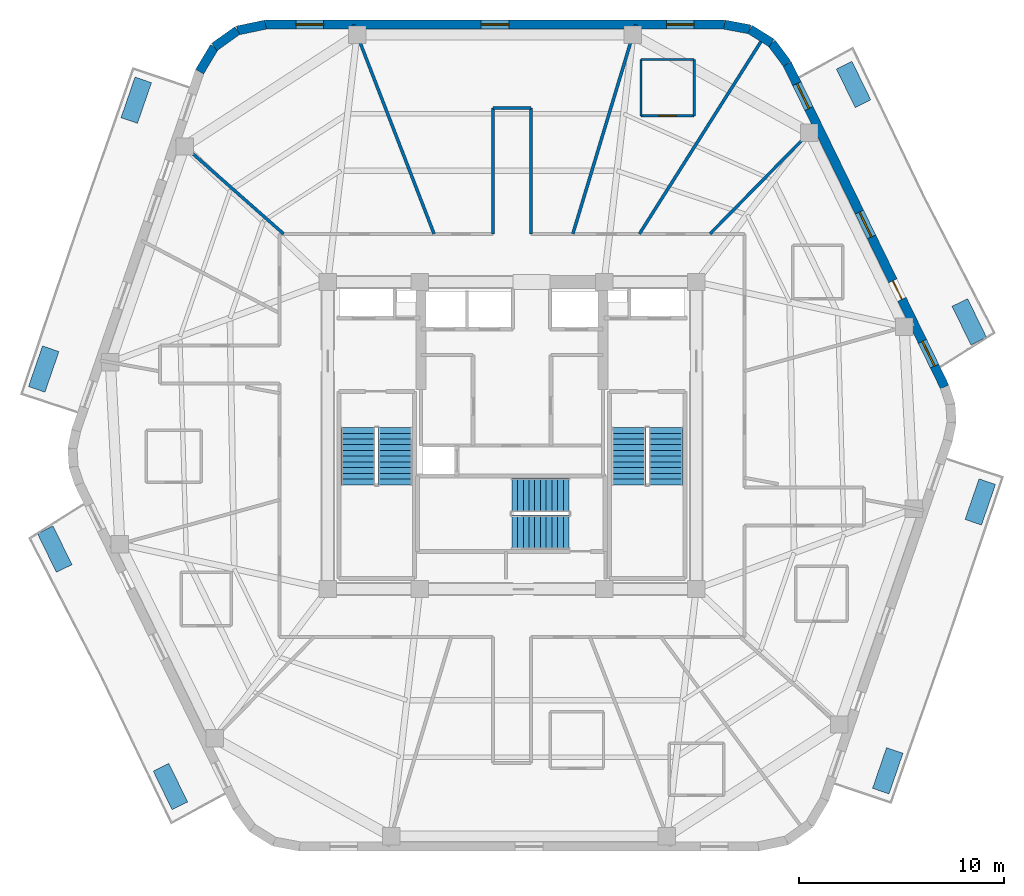
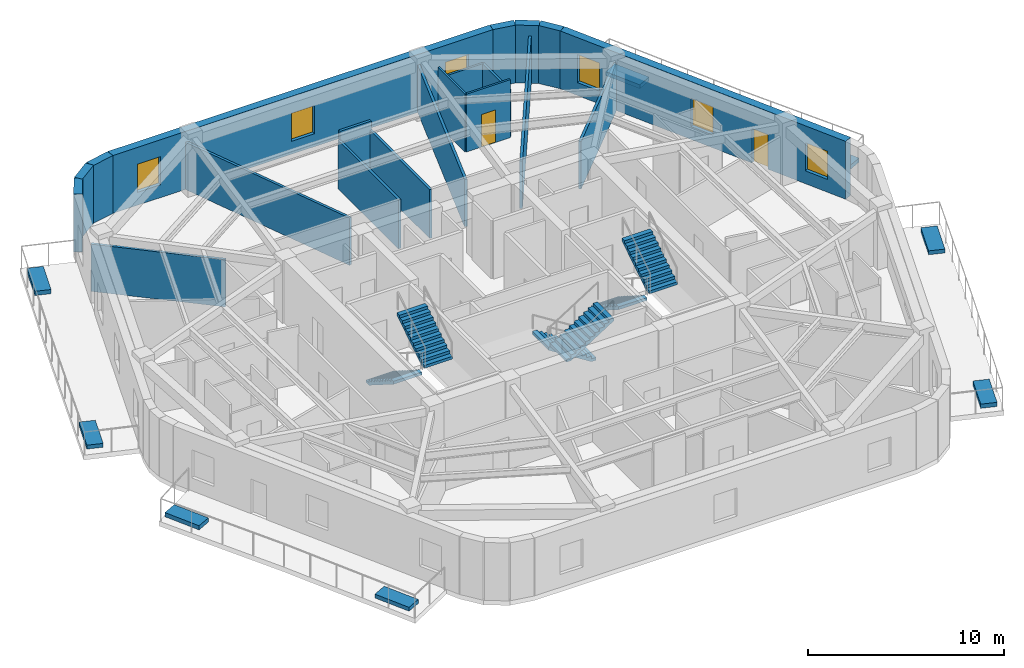
# One storey, part 6 of 9: 20 walls, 8 discrete accessories, 6 stair flights, 6 windows, 2 doors, 8 openings, 3 elements without a shape of their own.
"""IFC4 building model written with IfcOpenShell, lengths in metres."""

from ifc_helpers import new_model, si_unit, direction, frame, frame_2d, origin, origin_2d, place, context, subcontext, project, spatial, polyline, rectangle, outline, extrude, material, layer, layer_set, type_object, element, fill, aggregate, save


model = new_model("IFC4")

# Units and contexts
model_context = context("Model", 3, precision=1e-05, world=origin(), true_north=direction((0.0, 1.0)))
body_context = subcontext(model_context, "Body", "Model", "MODEL_VIEW")
ifc_project = project(units=[si_unit("LENGTHUNIT", "METRE"), si_unit("AREAUNIT", "SQUARE_METRE"), si_unit("VOLUMEUNIT", "CUBIC_METRE"), si_unit("PLANEANGLEUNIT", "RADIAN"), si_unit("MASSUNIT", "GRAM", prefix="KILO")], contexts=[model_context])

# Site, building, storey
site_placement = place(None, origin())
site = spatial("IfcSite", under=ifc_project, at=site_placement, CompositionType="ELEMENT")
building_placement = place(site_placement, origin())
building = spatial("IfcBuilding", under=site, at=building_placement, Name="Kilnhurst Terrace Hotel", CompositionType="ELEMENT")
storey_placement = place(building_placement, frame((0.0, 0.0, 273.0)))
storey = spatial("IfcBuildingStorey", under=building, at=storey_placement, Name="L68", CompositionType="ELEMENT", Elevation=273.0)

# Walls
ifc_material_1 = material(Name="Precast concrete C40/50", Category="concrete")
ifc_layer_1 = layer(ifc_material_1, 0.449951171875, Name="Precast concrete C40/50")
ifc_layer_set_1 = layer_set([ifc_layer_1], Name="Precast concrete C40/50")
wall_type_1 = type_object("IfcWallType", Name="WL-BRK-450", PredefinedType="SOLIDWALL", material=ifc_layer_set_1)
wall_1_placement = place(storey_placement, frame((13.44287109375, 18.159912109375, 0.0), z_axis=(0.0, 0.0, 1.0), x_axis=(-0.597042425808, 0.802209661987, 0.0)))
element("IfcWall", 1, at=wall_1_placement, inside=storey, type_object=wall_type_1, Name="L68 Rounded Corner Brick Wall C4.1", PredefinedType="SOLIDWALL", context=body_context, shape_type="SweptSolid", body=[
    extrude(rectangle(XDim=1.269775390625, YDim=0.449951171875, at=frame_2d((0.634765625, 0.0))), origin(), (0.0, 0.0, 1.0), 3.60009765625),
])
wall_2_placement = place(storey_placement, frame((12.684814453125, 19.178466796875, 0.0), z_axis=(0.0, 0.0, 1.0), x_axis=(-0.848031272749, 0.529946186362, 0.0)))
element("IfcWall", 2, at=wall_2_placement, inside=storey, type_object=wall_type_1, Name="L68 Rounded Corner Brick Wall C4.2", PredefinedType="SOLIDWALL", context=body_context, shape_type="SweptSolid", body=[
    extrude(rectangle(XDim=1.248046875, YDim=0.449951171875, at=frame_2d((0.6240234375, 0.0))), origin(), (0.0, 0.0, 1.0), 3.60009765625),
])
wall_3_placement = place(storey_placement, frame((11.62646484375, 19.83984375, 0.0), z_axis=(0.0, 0.0, 1.0), x_axis=(-0.982701956681, 0.185194126083, 0.0)))
element("IfcWall", 3, at=wall_3_placement, inside=storey, type_object=wall_type_1, Name="L68 Rounded Corner Brick Wall C4.3", PredefinedType="SOLIDWALL", context=body_context, shape_type="SweptSolid", body=[
    extrude(rectangle(XDim=1.26953125, YDim=0.449951171875, at=frame_2d((0.634765625, 0.0))), origin(), (0.0, 0.0, 1.0), 3.60009765625),
])
wall_4_placement = place(storey_placement, frame((-12.038330078125, 20.074951171875, 0.0), z_axis=(0.0, 0.0, 1.0), x_axis=(-0.978750122553, -0.205056571711, 0.0)))
element("IfcWall", 4, at=wall_4_placement, inside=storey, type_object=wall_type_1, Name="L68 Rounded Corner Brick Wall C5.1", PredefinedType="SOLIDWALL", context=body_context, shape_type="SweptSolid", body=[
    extrude(rectangle(XDim=1.406005859375, YDim=0.449951171875, at=frame_2d((0.703125, 0.0))), origin(), (0.0, 0.0, 1.0), 3.60009765625),
])
wall_5_placement = place(storey_placement, frame((-13.41455078125, 19.78662109375, 0.0), z_axis=(0.0, 0.0, 1.0), x_axis=(-0.814055493997, -0.580787097561, 0.0)))
element("IfcWall", 5, at=wall_5_placement, inside=storey, type_object=wall_type_1, Name="L68 Rounded Corner Brick Wall C5.2", PredefinedType="SOLIDWALL", context=body_context, shape_type="SweptSolid", body=[
    extrude(rectangle(XDim=1.382568359375, YDim=0.449951171875, at=frame_2d((0.69140625, 0.0))), origin(), (0.0, 0.0, 1.0), 3.60009765625),
])
wall_6_placement = place(storey_placement, frame((-14.5400390625, 18.983642578125, 0.0), z_axis=(0.0, 0.0, 1.0), x_axis=(-0.512374906623, -0.858761873317, 0.0)))
element("IfcWall", 6, at=wall_6_placement, inside=storey, type_object=wall_type_1, Name="L68 Rounded Corner Brick Wall C5.3", PredefinedType="SOLIDWALL", context=body_context, shape_type="SweptSolid", body=[
    extrude(rectangle(XDim=1.406005859375, YDim=0.449951171875, at=frame_2d((0.703125, 0.0))), origin(), (0.0, 0.0, 1.0), 3.60009765625),
])

# Wall, openings, door, windows
wall_7_placement = place(storey_placement, frame((21.138427734375, 2.370849609375, 0.0), z_axis=(0.0, 0.0, 1.0), x_axis=(-0.438128124058, 0.89891253574, 0.0)))
wall_7 = element("IfcWall", 7, at=wall_7_placement, inside=storey, type_object=wall_type_1, Name="L68 Exterior Brick Facade Wall F3", PredefinedType="SOLIDWALL", context=body_context, shape_type="SweptSolid", body=[
    extrude(rectangle(XDim=17.564697265625, YDim=0.449951171875, at=frame_2d((8.7822265625, 0.0))), origin(), (0.0, 0.0, 1.0), 3.60009765625),
])
opening_1_placement = place(wall_7_placement, frame((4.76904296875, 0.0, 0.0)))
opening_1 = element("IfcOpeningElement", 8, at=opening_1_placement, cuts=wall_7, Name="Opening BD-1000", PredefinedType="OPENING", context=body_context, shape_type="SweptSolid", body=[
    extrude(rectangle(XDim=1.0, YDim=2.14990234375, at=frame_2d((0.5, 1.074951171875))), frame((0.0, 0.23486328125, 0.0), z_axis=(0.0, -1.0, 0.0), x_axis=(1.0, 0.0, 0.0)), (0.0, 0.0, 1.0), 0.469970703125),
])
opening_2_placement = place(wall_7_placement, frame((8.157958984375, 0.0, 0.800048828125)))
opening_2 = element("IfcOpeningElement", 9, at=opening_2_placement, cuts=wall_7, Name="Opening W-06", PredefinedType="OPENING", context=body_context, shape_type="SweptSolid", body=[
    extrude(rectangle(XDim=1.35009765625, YDim=1.75, at=frame_2d((0.675048828125, 0.875))), frame((0.0, 0.23486328125, 0.0), z_axis=(0.0, -1.0, 0.0), x_axis=(1.0, 0.0, 0.0)), (0.0, 0.0, 1.0), 0.469970703125),
])
opening_3_placement = place(wall_7_placement, frame((15.132080078125, 0.0, 0.800048828125)))
opening_3 = element("IfcOpeningElement", 10, at=opening_3_placement, cuts=wall_7, Name="Opening W-06", PredefinedType="OPENING", context=body_context, shape_type="SweptSolid", body=[
    extrude(rectangle(XDim=1.35009765625, YDim=1.75, at=frame_2d((0.675048828125, 0.875))), frame((0.0, 0.23486328125, 0.0), z_axis=(0.0, -1.0, 0.0), x_axis=(1.0, 0.0, 0.0)), (0.0, 0.0, 1.0), 0.469970703125),
])
opening_4_placement = place(wall_7_placement, frame((1.133056640625, 0.0, 0.800048828125)))
opening_4 = element("IfcOpeningElement", 11, at=opening_4_placement, cuts=wall_7, Name="Opening W-06", PredefinedType="OPENING", context=body_context, shape_type="SweptSolid", body=[
    extrude(rectangle(XDim=1.35009765625, YDim=1.75, at=frame_2d((0.675048828125, 0.875))), frame((0.0, 0.23486328125, 0.0), z_axis=(0.0, -1.0, 0.0), x_axis=(1.0, 0.0, 0.0)), (0.0, 0.0, 1.0), 0.469970703125),
])
ifc_material_2 = material(Name="Thermally Broken Bronze Aluminium Alloy 6063-T6 and Laminated Glass", Category="aluminium")
door_type_1 = type_object("IfcDoorType", Name="DR-EXT-BAL-1000", OperationType="NOTDEFINED", PredefinedType="DOOR", material=ifc_material_2)
door_1_placement = place(opening_1_placement, origin())
door_1 = element("IfcDoor", 12, at=door_1_placement, inside=storey, type_object=door_type_1, Name="L68 Planted Balcony Door BAL-L1B", OperationType="SINGLE_SWING_LEFT", OverallHeight=2.14990234375, OverallWidth=1.0, PredefinedType="DOOR", context=body_context, shape_type="SweptSolid", body=[
    extrude(rectangle(XDim=1.0, YDim=2.14990234375, at=frame_2d((0.5, 1.074951171875))), frame((0.0, 0.02490234375, 0.0), z_axis=(0.0, -1.0, 0.0), x_axis=(1.0, 0.0, 0.0)), (0.0, 0.0, 1.0), 0.050048828125),
])
fill(opening_1, door_1)
ifc_material_3 = material(Name="Thermally Broken Bronze Aluminium Alloy 6063-T6 and Low-E Glass", Category="aluminium")
window_type = type_object("IfcWindowType", Name="WIN-1350X1750", PartitioningType="SINGLE_PANEL", PredefinedType="WINDOW", material=ifc_material_3)
window_1_placement = place(opening_2_placement, origin())
window_1 = element("IfcWindow", 13, at=window_1_placement, inside=storey, type_object=window_type, Name="L68 Deep-Set Masonry Window F3.1", OverallHeight=1.75, OverallWidth=1.35009765625, PartitioningType="SINGLE_PANEL", PredefinedType="WINDOW", context=body_context, shape_type="SweptSolid", body=[
    extrude(rectangle(XDim=1.35009765625, YDim=1.75, at=frame_2d((0.675048828125, 0.875))), frame((0.0, 0.030029296875, 0.0), z_axis=(0.0, -1.0, 0.0), x_axis=(1.0, 0.0, 0.0)), (0.0, 0.0, 1.0), 0.06005859375),
])
fill(opening_2, window_1)
window_2_placement = place(opening_3_placement, origin())
window_2 = element("IfcWindow", 14, at=window_2_placement, inside=storey, type_object=window_type, Name="L68 Deep-Set Masonry Window F3.2", OverallHeight=1.75, OverallWidth=1.35009765625, PartitioningType="SINGLE_PANEL", PredefinedType="WINDOW", context=body_context, shape_type="SweptSolid", body=[
    extrude(rectangle(XDim=1.35009765625, YDim=1.75, at=frame_2d((0.675048828125, 0.875))), frame((0.0, 0.030029296875, 0.0), z_axis=(0.0, -1.0, 0.0), x_axis=(1.0, 0.0, 0.0)), (0.0, 0.0, 1.0), 0.06005859375),
])
fill(opening_3, window_2)
window_3_placement = place(opening_4_placement, origin())
window_3 = element("IfcWindow", 15, at=window_3_placement, inside=storey, type_object=window_type, Name="L68 Deep-Set Masonry Window F3.3", OverallHeight=1.75, OverallWidth=1.35009765625, PartitioningType="SINGLE_PANEL", PredefinedType="WINDOW", context=body_context, shape_type="SweptSolid", body=[
    extrude(rectangle(XDim=1.35009765625, YDim=1.75, at=frame_2d((0.675048828125, 0.875))), frame((0.0, 0.030029296875, 0.0), z_axis=(0.0, -1.0, 0.0), x_axis=(1.0, 0.0, 0.0)), (0.0, 0.0, 1.0), 0.06005859375),
])
fill(opening_4, window_3)

# Wall, openings, windows
wall_8_placement = place(storey_placement, frame((10.37890625, 20.074951171875, 0.0), z_axis=(0.0, 0.0, 1.0), x_axis=(-1.0, 0.0, 0.0)))
wall_8 = element("IfcWall", 16, at=wall_8_placement, inside=storey, type_object=wall_type_1, Name="L68 Exterior Brick Facade Wall F4", PredefinedType="SOLIDWALL", context=body_context, shape_type="SweptSolid", body=[
    extrude(rectangle(XDim=22.417236328125, YDim=0.449951171875, at=frame_2d((11.20849609375, 0.0))), origin(), (0.0, 0.0, 1.0), 3.60009765625),
])
opening_5_placement = place(wall_8_placement, frame((1.47998046875, 0.0, 0.800048828125)))
opening_5 = element("IfcOpeningElement", 17, at=opening_5_placement, cuts=wall_8, Name="Opening W-06", PredefinedType="OPENING", context=body_context, shape_type="SweptSolid", body=[
    extrude(rectangle(XDim=1.35009765625, YDim=1.75, at=frame_2d((0.675048828125, 0.875))), frame((0.0, 0.23486328125, 0.0), z_axis=(0.0, -1.0, 0.0), x_axis=(1.0, 0.0, 0.0)), (0.0, 0.0, 1.0), 0.469970703125),
])
opening_6_placement = place(wall_8_placement, frame((10.533935546875, 0.0, 0.800048828125)))
opening_6 = element("IfcOpeningElement", 18, at=opening_6_placement, cuts=wall_8, Name="Opening W-06", PredefinedType="OPENING", context=body_context, shape_type="SweptSolid", body=[
    extrude(rectangle(XDim=1.35009765625, YDim=1.75, at=frame_2d((0.675048828125, 0.875))), frame((0.0, 0.23486328125, 0.0), z_axis=(0.0, -1.0, 0.0), x_axis=(1.0, 0.0, 0.0)), (0.0, 0.0, 1.0), 0.469970703125),
])
opening_7_placement = place(wall_8_placement, frame((19.5869140625, 0.0, 0.800048828125)))
opening_7 = element("IfcOpeningElement", 19, at=opening_7_placement, cuts=wall_8, Name="Opening W-06", PredefinedType="OPENING", context=body_context, shape_type="SweptSolid", body=[
    extrude(rectangle(XDim=1.35009765625, YDim=1.75, at=frame_2d((0.675048828125, 0.875))), frame((0.0, 0.23486328125, 0.0), z_axis=(0.0, -1.0, 0.0), x_axis=(1.0, 0.0, 0.0)), (0.0, 0.0, 1.0), 0.469970703125),
])
window_4_placement = place(opening_5_placement, origin())
window_4 = element("IfcWindow", 20, at=window_4_placement, inside=storey, type_object=window_type, Name="L68 Deep-Set Masonry Window F4.1", OverallHeight=1.75, OverallWidth=1.35009765625, PartitioningType="SINGLE_PANEL", PredefinedType="WINDOW", context=body_context, shape_type="SweptSolid", body=[
    extrude(rectangle(XDim=1.35009765625, YDim=1.75, at=frame_2d((0.675048828125, 0.875))), frame((0.0, 0.030029296875, 0.0), z_axis=(0.0, -1.0, 0.0), x_axis=(1.0, 0.0, 0.0)), (0.0, 0.0, 1.0), 0.06005859375),
])
fill(opening_5, window_4)
window_5_placement = place(opening_6_placement, origin())
window_5 = element("IfcWindow", 21, at=window_5_placement, inside=storey, type_object=window_type, Name="L68 Deep-Set Masonry Window F4.2", OverallHeight=1.75, OverallWidth=1.35009765625, PartitioningType="SINGLE_PANEL", PredefinedType="WINDOW", context=body_context, shape_type="SweptSolid", body=[
    extrude(rectangle(XDim=1.35009765625, YDim=1.75, at=frame_2d((0.675048828125, 0.875))), frame((0.0, 0.030029296875, 0.0), z_axis=(0.0, -1.0, 0.0), x_axis=(1.0, 0.0, 0.0)), (0.0, 0.0, 1.0), 0.06005859375),
])
fill(opening_6, window_5)
window_6_placement = place(opening_7_placement, origin())
window_6 = element("IfcWindow", 22, at=window_6_placement, inside=storey, type_object=window_type, Name="L68 Deep-Set Masonry Window F4.3", OverallHeight=1.75, OverallWidth=1.35009765625, PartitioningType="SINGLE_PANEL", PredefinedType="WINDOW", context=body_context, shape_type="SweptSolid", body=[
    extrude(rectangle(XDim=1.35009765625, YDim=1.75, at=frame_2d((0.675048828125, 0.875))), frame((0.0, 0.030029296875, 0.0), z_axis=(0.0, -1.0, 0.0), x_axis=(1.0, 0.0, 0.0)), (0.0, 0.0, 1.0), 0.06005859375),
])
fill(opening_7, window_6)

# Walls
ifc_material_4 = material(Name="Acoustic Double-Gypsum Corridor Partition Assembly")
ifc_layer_2 = layer(ifc_material_4, 0.14990234375, Name="Acoustic Double-Gypsum Corridor Partition Assembly")
ifc_layer_set_2 = layer_set([ifc_layer_2], Name="Acoustic Double-Gypsum Corridor Partition Assembly")
wall_type_2 = type_object("IfcWallType", Name="WL-COR-150", PredefinedType="PARTITIONING", material=ifc_layer_set_2)
wall_9_placement = place(storey_placement, frame((-0.919921875, 9.85009765625, 0.0), z_axis=(0.0, 0.0, 1.0), x_axis=(0.0, 1.0, 0.0)))
element("IfcWall", 23, at=wall_9_placement, inside=storey, type_object=wall_type_2, Name="L68 Interior Wall WL-L68-COR-07", PredefinedType="PARTITIONING", context=body_context, shape_type="SweptSolid", body=[
    extrude(rectangle(XDim=6.14990234375, YDim=0.14990234375, at=frame_2d((3.074951171875, 0.0))), origin(), (0.0, 0.0, 1.0), 3.04052734375),
])
wall_10_placement = place(storey_placement, frame((-0.919921875, 16.0, 0.0), z_axis=(0.0, 0.0, 1.0), x_axis=(1.0, 0.0, 0.0)))
element("IfcWall", 24, at=wall_10_placement, inside=storey, type_object=wall_type_2, Name="L68 Interior Wall WL-L68-COR-08", PredefinedType="PARTITIONING", context=body_context, shape_type="SweptSolid", body=[
    extrude(rectangle(XDim=1.83984375, YDim=0.14990234375, at=frame_2d((0.919921875, 0.0))), origin(), (0.0, 0.0, 1.0), 3.60009765625),
])
wall_11_placement = place(storey_placement, frame((0.919921875, 16.0, 0.0), z_axis=(0.0, 0.0, 1.0), x_axis=(0.0, -1.0, 0.0)))
element("IfcWall", 25, at=wall_11_placement, inside=storey, type_object=wall_type_2, Name="L68 Interior Wall WL-L68-COR-09", PredefinedType="PARTITIONING", context=body_context, shape_type="SweptSolid", body=[
    extrude(rectangle(XDim=6.14990234375, YDim=0.14990234375, at=frame_2d((3.074951171875, 0.0))), origin(), (0.0, 0.0, 1.0), 3.04052734375),
])
ifc_material_5 = material(Name="STC-58 Acoustic Twin-Frame Guestroom Demising Partition")
ifc_layer_3 = layer(ifc_material_5, 0.14990234375, Name="STC-58 Acoustic Twin-Frame Guestroom Demising Partition")
ifc_layer_set_3 = layer_set([ifc_layer_3], Name="STC-58 Acoustic Twin-Frame Guestroom Demising Partition")
wall_type_3 = type_object("IfcWallType", Name="WL-DEM-150", PredefinedType="PARTITIONING", material=ifc_layer_set_3)
wall_12_placement = place(storey_placement, frame((9.67236328125, 9.85009765625, 0.0), z_axis=(0.0, 0.0, 1.0), x_axis=(0.700629771301, 0.713524998558, 0.0)))
element("IfcWall", 26, at=wall_12_placement, inside=storey, type_object=wall_type_3, Name="L68 Interior Wall WL-L68-DEM-COL02-02-1", PredefinedType="PARTITIONING", context=body_context, shape_type="SweptSolid", body=[
    extrude(rectangle(XDim=7.45947265625, YDim=0.14990234375, at=frame_2d((3.729736328125, 0.0))), origin(), (0.0, 0.0, 1.0), 2.93994140625),
])
wall_13_placement = place(storey_placement, frame((6.225830078125, 9.85009765625, 0.0), z_axis=(0.0, 0.0, 1.0), x_axis=(0.53429711317, 0.845296749584, 0.0)))
element("IfcWall", 27, at=wall_13_placement, inside=storey, type_object=wall_type_3, Name="L68 Interior Wall WL-L68-DEM-MID02-03-1", PredefinedType="PARTITIONING", context=body_context, shape_type="SweptSolid", body=[
    extrude(rectangle(XDim=11.174072265625, YDim=0.14990234375, at=frame_2d((5.5869140625, 0.0))), origin(), (0.0, 0.0, 1.0), 2.93994140625),
])
wall_14_placement = place(storey_placement, frame((2.97216796875, 9.85009765625, 0.0), z_axis=(0.0, 0.0, 1.0), x_axis=(0.288872169679, 0.957367677324, 0.0)))
element("IfcWall", 28, at=wall_14_placement, inside=storey, type_object=wall_type_3, Name="L68 Interior Wall WL-L68-DEM-COL03-04-1", PredefinedType="PARTITIONING", context=body_context, shape_type="SweptSolid", body=[
    extrude(rectangle(XDim=10.68017578125, YDim=0.14990234375, at=frame_2d((5.340087890625, 0.0))), origin(), (0.0, 0.0, 1.0), 2.93994140625),
])
wall_15_placement = place(storey_placement, frame((-3.8076171875, 9.85009765625, 0.0), z_axis=(0.0, 0.0, 1.0), x_axis=(-0.360587327934, 0.932725457427, 0.0)))
element("IfcWall", 29, at=wall_15_placement, inside=storey, type_object=wall_type_3, Name="L68 Interior Wall WL-L68-DEM-COL04-05-1", PredefinedType="PARTITIONING", context=body_context, shape_type="SweptSolid", body=[
    extrude(rectangle(XDim=10.96240234375, YDim=0.14990234375, at=frame_2d((5.481201171875, 0.0))), origin(), (0.0, 0.0, 1.0), 2.93994140625),
])
wall_16_placement = place(storey_placement, frame((-11.1572265625, 9.85009765625, 0.0), z_axis=(0.0, 0.0, 1.0), x_axis=(-0.74966962095, 0.661812253909, 0.0)))
element("IfcWall", 30, at=wall_16_placement, inside=storey, type_object=wall_type_3, Name="L68 Interior Wall WL-L68-DEM-COL05-06-1", PredefinedType="PARTITIONING", context=body_context, shape_type="SweptSolid", body=[
    extrude(rectangle(XDim=6.98876953125, YDim=0.14990234375, at=frame_2d((3.494384765625, 0.0))), origin(), (0.0, 0.0, 1.0), 2.93994140625),
])

# Wall, opening, door
ifc_material_6 = material(Name="120 mm Moisture-Resistant Tile-Backed Bathroom Partition")
ifc_layer_4 = layer(ifc_material_6, 0.1201171875, Name="120 mm Moisture-Resistant Tile-Backed Bathroom Partition")
ifc_layer_set_4 = layer_set([ifc_layer_4], Name="120 mm Moisture-Resistant Tile-Backed Bathroom Partition")
wall_type_4 = type_object("IfcWallType", Name="WL-PART-120", PredefinedType="PARTITIONING", material=ifc_layer_set_4)
wall_17_placement = place(storey_placement, frame((6.302001953125, 15.6201171875, 0.0), z_axis=(0.0, 0.0, 1.0), x_axis=(1.0, 0.0, 0.0)))
wall_17 = element("IfcWall", 31, at=wall_17_placement, inside=storey, type_object=wall_type_4, Name="L68 Interior Wall WL-L68-BTH-03-1", PredefinedType="PARTITIONING", context=body_context, shape_type="SweptSolid", body=[
    extrude(rectangle(XDim=2.60009765625, YDim=0.1201171875, at=frame_2d((1.300048828125, 0.0))), origin(), (0.0, 0.0, 1.0), 3.60009765625),
])
opening_8_placement = place(wall_17_placement, frame((0.875, 0.0, 0.0)))
opening_8 = element("IfcOpeningElement", 32, at=opening_8_placement, cuts=wall_17, Name="Opening D-08A", PredefinedType="OPENING", context=body_context, shape_type="SweptSolid", body=[
    extrude(rectangle(XDim=0.85009765625, YDim=2.030029296875, at=frame_2d((0.425048828125, 1.01513671875))), frame((0.0, 0.070068359375, 0.0), z_axis=(0.0, -1.0, 0.0), x_axis=(1.0, 0.0, 0.0)), (0.0, 0.0, 1.0), 0.14013671875),
])
ifc_material_7 = material(Name="Moisture-Resistant Lacquered En-suite Bathroom Door")
door_type_2 = type_object("IfcDoorType", Name="DR-INT-850", OperationType="NOTDEFINED", PredefinedType="DOOR", material=ifc_material_7)
door_2_placement = place(opening_8_placement, origin())
door_2 = element("IfcDoor", 33, at=door_2_placement, inside=storey, type_object=door_type_2, Name="L68 En-suite Bathroom Door 3", OperationType="SINGLE_SWING_RIGHT", OverallHeight=2.030029296875, OverallWidth=0.85009765625, PredefinedType="DOOR", context=body_context, shape_type="SweptSolid", body=[
    extrude(rectangle(XDim=0.85009765625, YDim=2.030029296875, at=frame_2d((0.425048828125, 1.01513671875))), frame((0.0, 0.02490234375, 0.0), z_axis=(0.0, -1.0, 0.0), x_axis=(1.0, 0.0, 0.0)), (0.0, 0.0, 1.0), 0.050048828125),
])
fill(opening_8, door_2)

# Walls
wall_18_placement = place(storey_placement, frame((8.902099609375, 15.6201171875, 0.0), z_axis=(0.0, 0.0, 1.0), x_axis=(0.0, 1.0, 0.0)))
element("IfcWall", 34, at=wall_18_placement, inside=storey, type_object=wall_type_4, Name="L68 Interior Wall WL-L68-BTH-03-2", PredefinedType="PARTITIONING", context=body_context, shape_type="SweptSolid", body=[
    extrude(rectangle(XDim=2.75, YDim=0.1201171875, at=frame_2d((1.375, 0.0))), origin(), (0.0, 0.0, 1.0), 2.93994140625),
])
wall_19_placement = place(storey_placement, frame((8.902099609375, 18.3701171875, 0.0), z_axis=(0.0, 0.0, 1.0), x_axis=(-1.0, 0.0, 0.0)))
element("IfcWall", 35, at=wall_19_placement, inside=storey, type_object=wall_type_4, Name="L68 Interior Wall WL-L68-BTH-03-3", PredefinedType="PARTITIONING", context=body_context, shape_type="SweptSolid", body=[
    extrude(rectangle(XDim=2.60009765625, YDim=0.1201171875, at=frame_2d((1.300048828125, 0.0))), origin(), (0.0, 0.0, 1.0), 2.93994140625),
])
wall_20_placement = place(storey_placement, frame((6.302001953125, 18.3701171875, 0.0), z_axis=(0.0, 0.0, 1.0), x_axis=(0.0, -1.0, 0.0)))
element("IfcWall", 36, at=wall_20_placement, inside=storey, type_object=wall_type_4, Name="L68 Interior Wall WL-L68-BTH-03-4", PredefinedType="PARTITIONING", context=body_context, shape_type="SweptSolid", body=[
    extrude(rectangle(XDim=2.75, YDim=0.1201171875, at=frame_2d((1.375, 0.0))), origin(), (0.0, 0.0, 1.0), 3.60009765625),
])

# Stair, stair flights
ifc_material_8 = material(Name="Concrete C50/60", Category="concrete")
stair_type = type_object("IfcStairType", Name="STR-CORE-1660", PredefinedType="HALF_TURN_STAIR", material=ifc_material_8)
stair_1_placement = place(storey_placement, origin())
stair_1 = element("IfcStair", 37, at=stair_1_placement, inside=storey, type_object=stair_type, Name="L68 ST-1", PredefinedType="HALF_TURN_STAIR")
stair_flight_type = type_object("IfcStairFlightType", Name="FLT-RC-1660", PredefinedType="STRAIGHT", material=ifc_material_8)
stair_flight_1_placement = place(storey_placement, frame((-7.52001953125, 0.389892578125, 0.0), z_axis=(0.0, 0.0, 1.0), x_axis=(0.0, -1.0, 0.0)))
stair_flight_1 = element("IfcStairFlight", 38, at=stair_flight_1_placement, type_object=stair_flight_type, Name="ST-1 flight 1", NumberOfRisers=11, NumberOfTreads=10, PredefinedType="STRAIGHT", RiserHeight=0.177272727, TreadLength=0.28, context=body_context, shape_type="SweptSolid", body=[
    extrude(outline(polyline([(0.0, 0.0), (0.0, 0.17724609375), (0.280029296875, 0.17724609375), (0.280029296875, 0.3544921875), (0.56005859375, 0.3544921875), (0.56005859375, 0.53173828125), (0.840087890625, 0.53173828125), (0.840087890625, 0.708984375), (1.1201171875, 0.708984375), (1.1201171875, 0.886474609375), (1.39990234375, 0.886474609375), (1.39990234375, 1.063720703125), (1.679931640625, 1.063720703125), (1.679931640625, 1.240966796875), (1.9599609375, 1.240966796875), (1.9599609375, 1.418212890625), (2.239990234375, 1.418212890625), (2.239990234375, 1.595458984375), (2.52001953125, 1.595458984375), (2.52001953125, 1.772705078125), (2.800048828125, 1.772705078125), (2.800048828125, 1.949951171875), (2.800048828125, 1.59521484375), (0.2802734375, 0.0), (0.0, 0.0)])), frame((0.0, 0.830078125, 0.0), z_axis=(0.0, -1.0, 0.0), x_axis=(1.0, 0.0, 0.0)), (0.0, 0.0, 1.0), 1.659912109375),
])
stair_flight_2_placement = place(storey_placement, frame((-5.7099609375, -2.409912109375, 1.949951171875), z_axis=(0.0, 0.0, 1.0), x_axis=(0.0, 1.0, 0.0)))
stair_flight_2 = element("IfcStairFlight", 39, at=stair_flight_2_placement, type_object=stair_flight_type, Name="ST-1 flight 2", NumberOfRisers=11, NumberOfTreads=10, PredefinedType="STRAIGHT", RiserHeight=0.177272727, TreadLength=0.28, context=body_context, shape_type="SweptSolid", body=[
    extrude(outline(polyline([(0.0, 0.0), (0.0, 0.17724609375), (0.280029296875, 0.17724609375), (0.280029296875, 0.3544921875), (0.56005859375, 0.3544921875), (0.56005859375, 0.53173828125), (0.840087890625, 0.53173828125), (0.840087890625, 0.708984375), (1.1201171875, 0.708984375), (1.1201171875, 0.886474609375), (1.39990234375, 0.886474609375), (1.39990234375, 1.063720703125), (1.679931640625, 1.063720703125), (1.679931640625, 1.240966796875), (1.9599609375, 1.240966796875), (1.9599609375, 1.418212890625), (2.239990234375, 1.418212890625), (2.239990234375, 1.595458984375), (2.52001953125, 1.595458984375), (2.52001953125, 1.772705078125), (2.800048828125, 1.772705078125), (2.800048828125, 1.949951171875), (2.800048828125, 1.59521484375), (0.2802734375, 0.0), (0.0, 0.0)])), frame((0.0, 0.830078125, 0.0), z_axis=(0.0, -1.0, 0.0), x_axis=(1.0, 0.0, 0.0)), (0.0, 0.0, 1.0), 1.659912109375),
])
aggregate(stair_1, [stair_flight_1, stair_flight_2])

stair_2_placement = place(storey_placement, origin())
stair_2 = element("IfcStair", 40, at=stair_2_placement, inside=storey, type_object=stair_type, Name="L68 ST-2", PredefinedType="HALF_TURN_STAIR")
stair_flight_3_placement = place(storey_placement, frame((5.7099609375, 0.389892578125, 0.0), z_axis=(0.0, 0.0, 1.0), x_axis=(0.0, -1.0, 0.0)))
stair_flight_3 = element("IfcStairFlight", 41, at=stair_flight_3_placement, type_object=stair_flight_type, Name="ST-2 flight 1", NumberOfRisers=11, NumberOfTreads=10, PredefinedType="STRAIGHT", RiserHeight=0.177272727, TreadLength=0.28, context=body_context, shape_type="SweptSolid", body=[
    extrude(outline(polyline([(0.0, 0.0), (0.0, 0.17724609375), (0.280029296875, 0.17724609375), (0.280029296875, 0.3544921875), (0.56005859375, 0.3544921875), (0.56005859375, 0.53173828125), (0.840087890625, 0.53173828125), (0.840087890625, 0.708984375), (1.1201171875, 0.708984375), (1.1201171875, 0.886474609375), (1.39990234375, 0.886474609375), (1.39990234375, 1.063720703125), (1.679931640625, 1.063720703125), (1.679931640625, 1.240966796875), (1.9599609375, 1.240966796875), (1.9599609375, 1.418212890625), (2.239990234375, 1.418212890625), (2.239990234375, 1.595458984375), (2.52001953125, 1.595458984375), (2.52001953125, 1.772705078125), (2.800048828125, 1.772705078125), (2.800048828125, 1.949951171875), (2.800048828125, 1.59521484375), (0.2802734375, 0.0), (0.0, 0.0)])), frame((0.0, 0.830078125, 0.0), z_axis=(0.0, -1.0, 0.0), x_axis=(1.0, 0.0, 0.0)), (0.0, 0.0, 1.0), 1.659912109375),
])
stair_flight_4_placement = place(storey_placement, frame((7.52001953125, -2.409912109375, 1.949951171875), z_axis=(0.0, 0.0, 1.0), x_axis=(0.0, 1.0, 0.0)))
stair_flight_4 = element("IfcStairFlight", 42, at=stair_flight_4_placement, type_object=stair_flight_type, Name="ST-2 flight 2", NumberOfRisers=11, NumberOfTreads=10, PredefinedType="STRAIGHT", RiserHeight=0.177272727, TreadLength=0.28, context=body_context, shape_type="SweptSolid", body=[
    extrude(outline(polyline([(0.0, 0.0), (0.0, 0.17724609375), (0.280029296875, 0.17724609375), (0.280029296875, 0.3544921875), (0.56005859375, 0.3544921875), (0.56005859375, 0.53173828125), (0.840087890625, 0.53173828125), (0.840087890625, 0.708984375), (1.1201171875, 0.708984375), (1.1201171875, 0.886474609375), (1.39990234375, 0.886474609375), (1.39990234375, 1.063720703125), (1.679931640625, 1.063720703125), (1.679931640625, 1.240966796875), (1.9599609375, 1.240966796875), (1.9599609375, 1.418212890625), (2.239990234375, 1.418212890625), (2.239990234375, 1.595458984375), (2.52001953125, 1.595458984375), (2.52001953125, 1.772705078125), (2.800048828125, 1.772705078125), (2.800048828125, 1.949951171875), (2.800048828125, 1.59521484375), (0.2802734375, 0.0), (0.0, 0.0)])), frame((0.0, 0.830078125, 0.0), z_axis=(0.0, -1.0, 0.0), x_axis=(1.0, 0.0, 0.0)), (0.0, 0.0, 1.0), 1.659912109375),
])
aggregate(stair_2, [stair_flight_3, stair_flight_4])

stair_3_placement = place(storey_placement, origin())
stair_3 = element("IfcStair", 43, at=stair_3_placement, inside=storey, type_object=stair_type, Name="L68 ST-3", PredefinedType="HALF_TURN_STAIR")
stair_flight_5_placement = place(storey_placement, frame((2.7900390625, -2.909912109375, 0.0), z_axis=(0.0, 0.0, 1.0), x_axis=(-1.0, 0.0, 0.0)))
stair_flight_5 = element("IfcStairFlight", 44, at=stair_flight_5_placement, type_object=stair_flight_type, Name="ST-3 flight 1", NumberOfRisers=11, NumberOfTreads=10, PredefinedType="STRAIGHT", RiserHeight=0.177272727, TreadLength=0.28, context=body_context, shape_type="SweptSolid", body=[
    extrude(outline(polyline([(0.0, 0.0), (0.0, 0.17724609375), (0.280029296875, 0.17724609375), (0.280029296875, 0.3544921875), (0.56005859375, 0.3544921875), (0.56005859375, 0.53173828125), (0.840087890625, 0.53173828125), (0.840087890625, 0.708984375), (1.1201171875, 0.708984375), (1.1201171875, 0.886474609375), (1.39990234375, 0.886474609375), (1.39990234375, 1.063720703125), (1.679931640625, 1.063720703125), (1.679931640625, 1.240966796875), (1.9599609375, 1.240966796875), (1.9599609375, 1.418212890625), (2.239990234375, 1.418212890625), (2.239990234375, 1.595458984375), (2.52001953125, 1.595458984375), (2.52001953125, 1.772705078125), (2.800048828125, 1.772705078125), (2.800048828125, 1.949951171875), (2.800048828125, 1.59521484375), (0.2802734375, 0.0), (0.0, 0.0)])), frame((0.0, 0.830078125, 0.0), z_axis=(0.0, -1.0, 0.0), x_axis=(1.0, 0.0, 0.0)), (0.0, 0.0, 1.0), 1.659912109375),
])
stair_flight_6_placement = place(storey_placement, frame((-0.010009765625, -4.719970703125, 1.949951171875), z_axis=(0.0, 0.0, 1.0), x_axis=(1.0, 0.0, 0.0)))
stair_flight_6 = element("IfcStairFlight", 45, at=stair_flight_6_placement, type_object=stair_flight_type, Name="ST-3 flight 2", NumberOfRisers=11, NumberOfTreads=10, PredefinedType="STRAIGHT", RiserHeight=0.177272727, TreadLength=0.28, context=body_context, shape_type="SweptSolid", body=[
    extrude(outline(polyline([(0.0, 0.0), (0.0, 0.17724609375), (0.280029296875, 0.17724609375), (0.280029296875, 0.3544921875), (0.56005859375, 0.3544921875), (0.56005859375, 0.53173828125), (0.840087890625, 0.53173828125), (0.840087890625, 0.708984375), (1.1201171875, 0.708984375), (1.1201171875, 0.886474609375), (1.39990234375, 0.886474609375), (1.39990234375, 1.063720703125), (1.679931640625, 1.063720703125), (1.679931640625, 1.240966796875), (1.9599609375, 1.240966796875), (1.9599609375, 1.418212890625), (2.239990234375, 1.418212890625), (2.239990234375, 1.595458984375), (2.52001953125, 1.595458984375), (2.52001953125, 1.772705078125), (2.800048828125, 1.772705078125), (2.800048828125, 1.949951171875), (2.800048828125, 1.59521484375), (0.2802734375, 0.0), (0.0, 0.0)])), frame((0.0, 0.830078125, 0.0), z_axis=(0.0, -1.0, 0.0), x_axis=(1.0, 0.0, 0.0)), (0.0, 0.0, 1.0), 1.659912109375),
])
aggregate(stair_3, [stair_flight_5, stair_flight_6])

# Discrete accessories
ifc_material_9 = material(Name="Precast Concrete C40/50 Shrub Planter", Category="concrete")
discrete_accessory_type_1 = type_object("IfcDiscreteAccessoryType", Name="PLN-SHRUB-240", PredefinedType="USERDEFINED", material=ifc_material_9)
for number, where, z_axis, x_axis, name in (
    (46, (22.8779296875, -3.246826171875, 0.0), (0.0, 0.0, 1.0), (0.325403125376, 0.94557538356, 0.0), "L68 Structural Tree Planter Box PLANTER BAL-L1A.2"),
    (47, (16.68798828125, 17.150634765625, 0.0), (0.0, 0.0, 1.0), (-0.438135828038, 0.898908780795, 0.0), "L68 Structural Tree Planter Box PLANTER BAL-L1B.2"),
    (48, (-22.8779296875, 3.246826171875, 0.0), (0.0, 0.0, 1.0), (-0.325403125376, -0.94557538356, 0.0), "L68 Structural Tree Planter Box PLANTER BAL-L2A.2"),
    (49, (-16.68798828125, -17.150634765625, 0.0), (0.0, 0.0, 1.0), (0.438135828038, -0.898908780795, 0.0), "L68 Structural Tree Planter Box PLANTER BAL-L2B.2"),
):
    element("IfcDiscreteAccessory", number, at=place(storey_placement, frame(where, z_axis=z_axis, x_axis=x_axis)), inside=storey, type_object=discrete_accessory_type_1, Name=name, ObjectType="PLANTER", PredefinedType="USERDEFINED", context=body_context, shape_type="SweptSolid", body=[
        extrude(rectangle(XDim=2.10009765625, YDim=0.85009765625, at=origin_2d()), origin(), (0.0, 0.0, 1.0), 0.239990234375),
    ])
ifc_material_10 = material(Name="Precast Concrete C40/50 Tree Planter", Category="concrete")
discrete_accessory_type_2 = type_object("IfcDiscreteAccessoryType", Name="PLN-TREE-260", PredefinedType="USERDEFINED", material=ifc_material_10)
for number, where, z_axis, x_axis, name in (
    (50, (18.35791015625, -16.381591796875, 0.0), (0.0, 0.0, 1.0), (0.325403125376, 0.94557538356, 0.0), "L68 Structural Tree Planter Box PLANTER BAL-L1A.1"),
    (51, (22.340087890625, 5.55419921875, 0.0), (0.0, 0.0, 1.0), (-0.438135828038, 0.898908780795, 0.0), "L68 Structural Tree Planter Box PLANTER BAL-L1B.1"),
    (52, (-18.35791015625, 16.381591796875, 0.0), (0.0, 0.0, 1.0), (-0.325403125376, -0.94557538356, 0.0), "L68 Structural Tree Planter Box PLANTER BAL-L2A.1"),
    (53, (-22.340087890625, -5.55419921875, 0.0), (0.0, 0.0, 1.0), (0.438135828038, -0.898908780795, 0.0), "L68 Structural Tree Planter Box PLANTER BAL-L2B.1"),
):
    element("IfcDiscreteAccessory", number, at=place(storey_placement, frame(where, z_axis=z_axis, x_axis=x_axis)), inside=storey, type_object=discrete_accessory_type_2, Name=name, ObjectType="PLANTER", PredefinedType="USERDEFINED", context=body_context, shape_type="SweptSolid", body=[
        extrude(rectangle(XDim=2.10009765625, YDim=0.85009765625, at=origin_2d()), origin(), (0.0, 0.0, 1.0), 0.260009765625),
    ])

save(model, "model.ifc")
